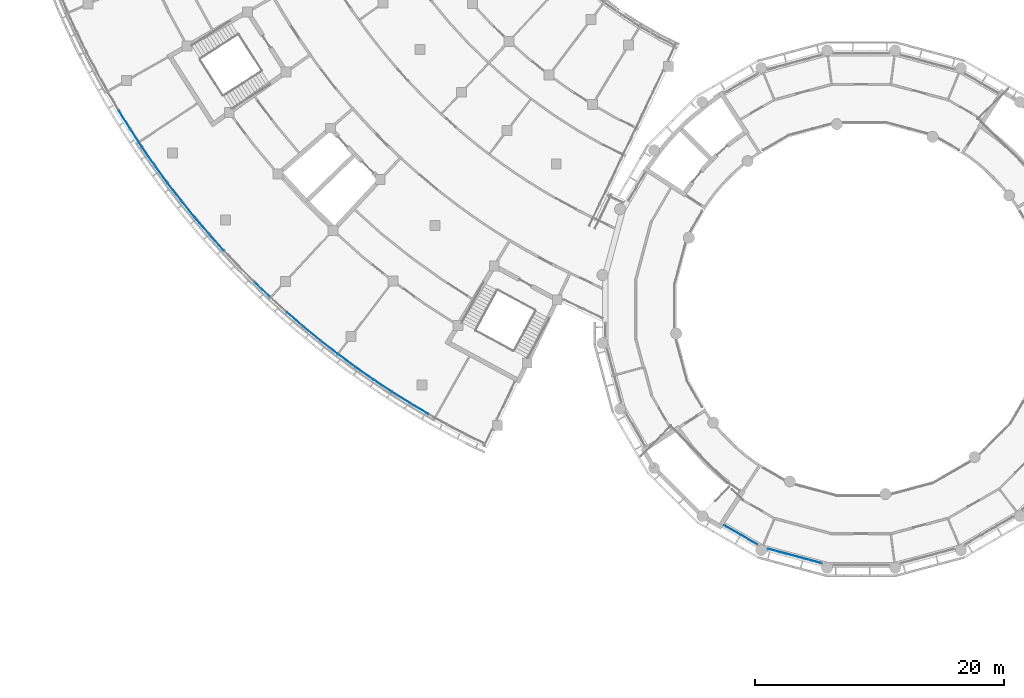
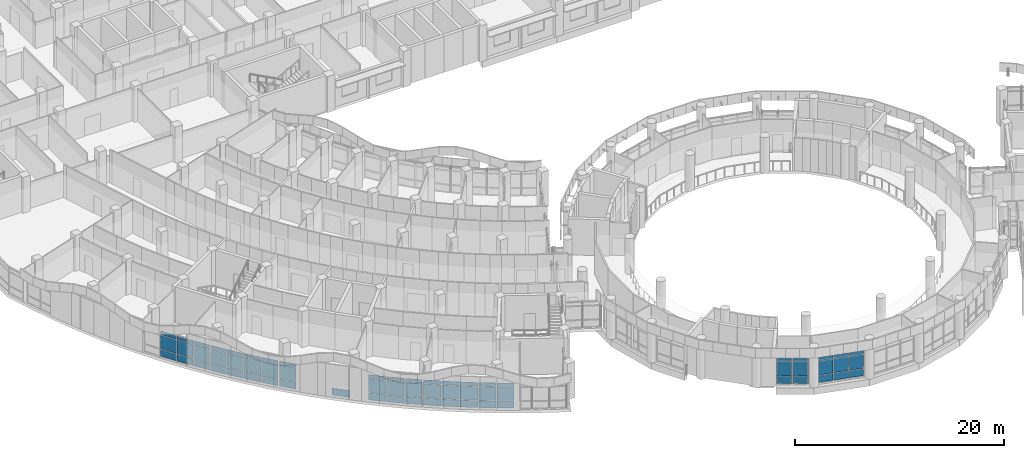
# One storey, part 30 of 109: 64 plates, 8 elements without a shape of their own.
"""IFC4 building model written with IfcOpenShell, lengths in metres."""

from ifc_helpers import new_model, si_unit, direction, frame, origin, origin_2d, place, context, subcontext, project, spatial, rectangle, extrude, material, layer, layer_set, type_object, element, aggregate, save


model = new_model("IFC4")

# Units and contexts
model_context = context("Model", 3, precision=1e-05, world=origin(), true_north=direction((0.0, 1.0)))
body_context = subcontext(model_context, "Body", "Model", "MODEL_VIEW")
ifc_project = project(units=[si_unit("LENGTHUNIT", "METRE"), si_unit("AREAUNIT", "SQUARE_METRE"), si_unit("VOLUMEUNIT", "CUBIC_METRE"), si_unit("PLANEANGLEUNIT", "RADIAN"), si_unit("MASSUNIT", "GRAM", prefix="KILO")], contexts=[model_context])

# Site, building, storey
site_placement = place(None, origin())
site = spatial("IfcSite", under=ifc_project, at=site_placement, CompositionType="ELEMENT")
building_placement = place(site_placement, origin())
building = spatial("IfcBuilding", under=site, at=building_placement, Name="Bougainvillea Quay General Hospital", CompositionType="ELEMENT")
storey_placement = place(building_placement, frame((0.0, 0.0, 12.60009765625)))
storey = spatial("IfcBuildingStorey", under=building, at=storey_placement, Name="L02", CompositionType="ELEMENT", Elevation=12.60009765625)

# Curtain wall, plates
ifc_material_1 = material(Name="Aluminium curtain wall system, powder-coated glazed", Category="aluminium")
curtain_wall_type_1 = type_object("IfcCurtainWallType", Name="Unitised curtain wall CW-2100", PredefinedType="NOTDEFINED", material=ifc_material_1)
curtain_wall_1_placement = place(storey_placement, origin())
curtain_wall_1 = element("IfcCurtainWall", 1, at=curtain_wall_1_placement, inside=storey, type_object=curtain_wall_type_1, Name="CW-W01 a01b0", PredefinedType="NOTDEFINED")
ifc_material_2 = material(Name="Insulated aluminium spandrel panel, white", Category="aluminium")
ifc_layer_1 = layer(ifc_material_2, 0.028076171875)
ifc_layer_set_1 = layer_set([ifc_layer_1], Name="Insulated aluminium spandrel panel, white")
plate_type_1 = type_object("IfcPlateType", Name="Insulated spandrel panel white 28", PredefinedType="CURTAIN_PANEL", material=ifc_layer_set_1)
plate_1_placement = place(storey_placement, frame((73.6884765625, 65.97265625, 0.059814453125), z_axis=(0.0, 0.0, 1.0), x_axis=(-0.860561565158, 0.509346436695, 0.0)))
plate_1 = element("IfcPlate", 2, at=plate_1_placement, type_object=plate_type_1, Name="CW-W01 spandrel panel 4.1", PredefinedType="CURTAIN_PANEL", context=body_context, shape_type="SweptSolid", body=[
    extrude(rectangle(XDim=1.593994140625, YDim=0.028076171875, at=origin_2d()), origin(), (0.0, 0.0, 1.0), 0.81005859375),
])
plate_2_placement = place(storey_placement, frame((73.6884765625, 65.97265625, 2.580078125), z_axis=(0.0, 0.0, 1.0), x_axis=(-0.860561565158, 0.509346436695, 0.0)))
plate_2 = element("IfcPlate", 3, at=plate_2_placement, type_object=plate_type_1, Name="CW-W01 spandrel panel 4.3", PredefinedType="CURTAIN_PANEL", context=body_context, shape_type="SweptSolid", body=[
    extrude(rectangle(XDim=1.593994140625, YDim=0.028076171875, at=origin_2d()), origin(), (0.0, 0.0, 1.0), 0.409912109375),
])

curtain_wall_2_placement = place(storey_placement, origin())
curtain_wall_2 = element("IfcCurtainWall", 4, at=curtain_wall_2_placement, inside=storey, type_object=curtain_wall_type_1, Name="CW-W02 a01b1", PredefinedType="NOTDEFINED")
plate_3_placement = place(storey_placement, frame((72.188720703125, 66.88623046875, 0.059814453125), z_axis=(0.0, 0.0, 1.0), x_axis=(-0.847691824545, 0.530488991968, 0.0)))
plate_3 = element("IfcPlate", 5, at=plate_3_placement, type_object=plate_type_1, Name="CW-W02 spandrel panel 1.1", PredefinedType="CURTAIN_PANEL", context=body_context, shape_type="SweptSolid", body=[
    extrude(rectangle(XDim=1.6787109375, YDim=0.028076171875, at=origin_2d()), origin(), (0.0, 0.0, 1.0), 0.81005859375),
])
plate_4_placement = place(storey_placement, frame((72.188720703125, 66.88623046875, 2.580078125), z_axis=(0.0, 0.0, 1.0), x_axis=(-0.847691824545, 0.530488991968, 0.0)))
plate_4 = element("IfcPlate", 6, at=plate_4_placement, type_object=plate_type_1, Name="CW-W02 spandrel panel 1.3", PredefinedType="CURTAIN_PANEL", context=body_context, shape_type="SweptSolid", body=[
    extrude(rectangle(XDim=1.6787109375, YDim=0.028076171875, at=origin_2d()), origin(), (0.0, 0.0, 1.0), 0.409912109375),
])
plate_5_placement = place(storey_placement, frame((70.714111328125, 67.83544921875, 0.059814453125), z_axis=(0.0, 0.0, 1.0), x_axis=(-0.833967694391, 0.551813269787, 0.0)))
plate_5 = element("IfcPlate", 7, at=plate_5_placement, type_object=plate_type_1, Name="CW-W02 spandrel panel 2.1", PredefinedType="CURTAIN_PANEL", context=body_context, shape_type="SweptSolid", body=[
    extrude(rectangle(XDim=1.708740234375, YDim=0.028076171875, at=origin_2d()), origin(), (0.0, 0.0, 1.0), 0.81005859375),
])
plate_6_placement = place(storey_placement, frame((70.714111328125, 67.83544921875, 2.580078125), z_axis=(0.0, 0.0, 1.0), x_axis=(-0.833967694391, 0.551813269787, 0.0)))
plate_6 = element("IfcPlate", 8, at=plate_6_placement, type_object=plate_type_1, Name="CW-W02 spandrel panel 2.3", PredefinedType="CURTAIN_PANEL", context=body_context, shape_type="SweptSolid", body=[
    extrude(rectangle(XDim=1.708740234375, YDim=0.028076171875, at=origin_2d()), origin(), (0.0, 0.0, 1.0), 0.409912109375),
])
plate_7_placement = place(storey_placement, frame((69.251708984375, 68.830078125, 0.059814453125), z_axis=(0.0, 0.0, 1.0), x_axis=(-0.819707259149, 0.572782689419, 0.0)))
plate_7 = element("IfcPlate", 9, at=plate_7_placement, type_object=plate_type_1, Name="CW-W02 spandrel panel 3.1", PredefinedType="CURTAIN_PANEL", context=body_context, shape_type="SweptSolid", body=[
    extrude(rectangle(XDim=1.708740234375, YDim=0.028076171875, at=origin_2d()), origin(), (0.0, 0.0, 1.0), 0.81005859375),
])
plate_8_placement = place(storey_placement, frame((69.251708984375, 68.830078125, 2.580078125), z_axis=(0.0, 0.0, 1.0), x_axis=(-0.819707259149, 0.572782689419, 0.0)))
plate_8 = element("IfcPlate", 10, at=plate_8_placement, type_object=plate_type_1, Name="CW-W02 spandrel panel 3.3", PredefinedType="CURTAIN_PANEL", context=body_context, shape_type="SweptSolid", body=[
    extrude(rectangle(XDim=1.708740234375, YDim=0.028076171875, at=origin_2d()), origin(), (0.0, 0.0, 1.0), 0.409912109375),
])
plate_9_placement = place(storey_placement, frame((67.826904296875, 69.8525390625, 0.059814453125), z_axis=(0.0, 0.0, 1.0), x_axis=(-0.804919689373, 0.593383765922, 0.0)))
plate_9 = element("IfcPlate", 11, at=plate_9_placement, type_object=plate_type_1, Name="CW-W02 spandrel panel 4.1", PredefinedType="CURTAIN_PANEL", context=body_context, shape_type="SweptSolid", body=[
    extrude(rectangle(XDim=1.6787109375, YDim=0.028076171875, at=origin_2d()), origin(), (0.0, 0.0, 1.0), 0.81005859375),
])
plate_10_placement = place(storey_placement, frame((67.826904296875, 69.8525390625, 2.580078125), z_axis=(0.0, 0.0, 1.0), x_axis=(-0.804919689373, 0.593383765922, 0.0)))
plate_10 = element("IfcPlate", 12, at=plate_10_placement, type_object=plate_type_1, Name="CW-W02 spandrel panel 4.3", PredefinedType="CURTAIN_PANEL", context=body_context, shape_type="SweptSolid", body=[
    extrude(rectangle(XDim=1.6787109375, YDim=0.028076171875, at=origin_2d()), origin(), (0.0, 0.0, 1.0), 0.409912109375),
])

curtain_wall_3_placement = place(storey_placement, origin())
curtain_wall_3 = element("IfcCurtainWall", 13, at=curtain_wall_3_placement, inside=storey, type_object=curtain_wall_type_1, Name="CW-W03 a01b2", PredefinedType="NOTDEFINED")
plate_11_placement = place(storey_placement, frame((66.392822265625, 70.93798828125, 0.059814453125), z_axis=(0.0, 0.0, 1.0), x_axis=(-0.789614494602, 0.613603251226, 0.0)))
plate_11 = element("IfcPlate", 14, at=plate_11_placement, type_object=plate_type_1, Name="CW-W03 spandrel panel 1.1", PredefinedType="CURTAIN_PANEL", context=body_context, shape_type="SweptSolid", body=[
    extrude(rectangle(XDim=1.6787109375, YDim=0.028076171875, at=origin_2d()), origin(), (0.0, 0.0, 1.0), 0.81005859375),
])
plate_12_placement = place(storey_placement, frame((66.392822265625, 70.93798828125, 2.580078125), z_axis=(0.0, 0.0, 1.0), x_axis=(-0.789614494602, 0.613603251226, 0.0)))
plate_12 = element("IfcPlate", 15, at=plate_12_placement, type_object=plate_type_1, Name="CW-W03 spandrel panel 1.3", PredefinedType="CURTAIN_PANEL", context=body_context, shape_type="SweptSolid", body=[
    extrude(rectangle(XDim=1.6787109375, YDim=0.028076171875, at=origin_2d()), origin(), (0.0, 0.0, 1.0), 0.409912109375),
])
plate_13_placement = place(storey_placement, frame((65.02197265625, 72.03173828125, 0.059814453125), z_axis=(0.0, 0.0, 1.0), x_axis=(-0.773801517247, 0.633428142654, 0.0)))
plate_13 = element("IfcPlate", 16, at=plate_13_placement, type_object=plate_type_1, Name="CW-W03 spandrel panel 2.1", PredefinedType="CURTAIN_PANEL", context=body_context, shape_type="SweptSolid", body=[
    extrude(rectangle(XDim=1.708740234375, YDim=0.028076171875, at=origin_2d()), origin(), (0.0, 0.0, 1.0), 0.81005859375),
])
plate_14_placement = place(storey_placement, frame((65.02197265625, 72.03173828125, 2.580078125), z_axis=(0.0, 0.0, 1.0), x_axis=(-0.773801517247, 0.633428142654, 0.0)))
plate_14 = element("IfcPlate", 17, at=plate_14_placement, type_object=plate_type_1, Name="CW-W03 spandrel panel 2.3", PredefinedType="CURTAIN_PANEL", context=body_context, shape_type="SweptSolid", body=[
    extrude(rectangle(XDim=1.708740234375, YDim=0.028076171875, at=origin_2d()), origin(), (0.0, 0.0, 1.0), 0.409912109375),
])
plate_15_placement = place(storey_placement, frame((63.667724609375, 73.169189453125, 0.059814453125), z_axis=(0.0, 0.0, 1.0), x_axis=(-0.757490926264, 0.652845691283, 0.0)))
plate_15 = element("IfcPlate", 18, at=plate_15_placement, type_object=plate_type_1, Name="CW-W03 spandrel panel 3.1", PredefinedType="CURTAIN_PANEL", context=body_context, shape_type="SweptSolid", body=[
    extrude(rectangle(XDim=1.708740234375, YDim=0.028076171875, at=origin_2d()), origin(), (0.0, 0.0, 1.0), 0.81005859375),
])
plate_16_placement = place(storey_placement, frame((63.667724609375, 73.169189453125, 2.580078125), z_axis=(0.0, 0.0, 1.0), x_axis=(-0.757490926264, 0.652845691283, 0.0)))
plate_16 = element("IfcPlate", 19, at=plate_16_placement, type_object=plate_type_1, Name="CW-W03 spandrel panel 3.3", PredefinedType="CURTAIN_PANEL", context=body_context, shape_type="SweptSolid", body=[
    extrude(rectangle(XDim=1.708740234375, YDim=0.028076171875, at=origin_2d()), origin(), (0.0, 0.0, 1.0), 0.409912109375),
])

curtain_wall_4_placement = place(storey_placement, origin())
curtain_wall_4 = element("IfcCurtainWall", 20, at=curtain_wall_4_placement, inside=storey, type_object=curtain_wall_type_1, Name="CW-W04 a01b3", PredefinedType="NOTDEFINED")
plate_17_placement = place(storey_placement, frame((61.037109375, 75.555908203125, 0.059814453125), z_axis=(0.0, 0.0, 1.0), x_axis=(-0.72341917251, 0.690409082244, 0.0)))
plate_17 = element("IfcPlate", 21, at=plate_17_placement, type_object=plate_type_1, Name="CW-W04 spandrel panel 1.1", PredefinedType="CURTAIN_PANEL", context=body_context, shape_type="SweptSolid", body=[
    extrude(rectangle(XDim=1.6787109375, YDim=0.028076171875, at=origin_2d()), origin(), (0.0, 0.0, 1.0), 0.81005859375),
])
plate_18_placement = place(storey_placement, frame((57.3623046875, 79.340087890625, 0.059814453125), z_axis=(0.0, 0.0, 1.0), x_axis=(-0.668851697289, 0.743395861593, 0.0)))
plate_18 = element("IfcPlate", 22, at=plate_18_placement, type_object=plate_type_1, Name="CW-W04 spandrel panel 4.1", PredefinedType="CURTAIN_PANEL", context=body_context, shape_type="SweptSolid", body=[
    extrude(rectangle(XDim=1.6787109375, YDim=0.028076171875, at=origin_2d()), origin(), (0.0, 0.0, 1.0), 0.81005859375),
])
plate_19_placement = place(storey_placement, frame((57.3623046875, 79.340087890625, 2.580078125), z_axis=(0.0, 0.0, 1.0), x_axis=(-0.668851697289, 0.743395861593, 0.0)))
plate_19 = element("IfcPlate", 23, at=plate_19_placement, type_object=plate_type_1, Name="CW-W04 spandrel panel 4.3", PredefinedType="CURTAIN_PANEL", context=body_context, shape_type="SweptSolid", body=[
    extrude(rectangle(XDim=1.6787109375, YDim=0.028076171875, at=origin_2d()), origin(), (0.0, 0.0, 1.0), 0.409912109375),
])

curtain_wall_5_placement = place(storey_placement, origin())
curtain_wall_5 = element("IfcCurtainWall", 24, at=curtain_wall_5_placement, inside=storey, type_object=curtain_wall_type_1, Name="CW-W05 a01b4", PredefinedType="NOTDEFINED")
plate_20_placement = place(storey_placement, frame((56.17626953125, 80.6923828125, 0.059814453125), z_axis=(0.0, 0.0, 1.0), x_axis=(-0.649786409486, 0.760116847627, 0.0)))
plate_20 = element("IfcPlate", 25, at=plate_20_placement, type_object=plate_type_1, Name="CW-W05 spandrel panel 1.1", PredefinedType="CURTAIN_PANEL", context=body_context, shape_type="SweptSolid", body=[
    extrude(rectangle(XDim=1.6787109375, YDim=0.028076171875, at=origin_2d()), origin(), (0.0, 0.0, 1.0), 0.81005859375),
])
plate_21_placement = place(storey_placement, frame((56.17626953125, 80.6923828125, 2.580078125), z_axis=(0.0, 0.0, 1.0), x_axis=(-0.649786409486, 0.760116847627, 0.0)))
plate_21 = element("IfcPlate", 26, at=plate_21_placement, type_object=plate_type_1, Name="CW-W05 spandrel panel 1.3", PredefinedType="CURTAIN_PANEL", context=body_context, shape_type="SweptSolid", body=[
    extrude(rectangle(XDim=1.6787109375, YDim=0.028076171875, at=origin_2d()), origin(), (0.0, 0.0, 1.0), 0.409912109375),
])
plate_22_placement = place(storey_placement, frame((55.053955078125, 82.039794921875, 0.059814453125), z_axis=(0.0, 0.0, 1.0), x_axis=(-0.630303259266, 0.776349020324, 0.0)))
plate_22 = element("IfcPlate", 27, at=plate_22_placement, type_object=plate_type_1, Name="CW-W05 spandrel panel 2.1", PredefinedType="CURTAIN_PANEL", context=body_context, shape_type="SweptSolid", body=[
    extrude(rectangle(XDim=1.708740234375, YDim=0.028076171875, at=origin_2d()), origin(), (0.0, 0.0, 1.0), 0.81005859375),
])
plate_23_placement = place(storey_placement, frame((55.053955078125, 82.039794921875, 2.580078125), z_axis=(0.0, 0.0, 1.0), x_axis=(-0.630303259266, 0.776349020324, 0.0)))
plate_23 = element("IfcPlate", 28, at=plate_23_placement, type_object=plate_type_1, Name="CW-W05 spandrel panel 2.3", PredefinedType="CURTAIN_PANEL", context=body_context, shape_type="SweptSolid", body=[
    extrude(rectangle(XDim=1.708740234375, YDim=0.028076171875, at=origin_2d()), origin(), (0.0, 0.0, 1.0), 0.409912109375),
])
plate_24_placement = place(storey_placement, frame((53.956787109375, 83.427001953125, 0.059814453125), z_axis=(0.0, 0.0, 1.0), x_axis=(-0.610414775786, 0.792081941154, 0.0)))
plate_24 = element("IfcPlate", 29, at=plate_24_placement, type_object=plate_type_1, Name="CW-W05 spandrel panel 3.1", PredefinedType="CURTAIN_PANEL", context=body_context, shape_type="SweptSolid", body=[
    extrude(rectangle(XDim=1.708740234375, YDim=0.028076171875, at=origin_2d()), origin(), (0.0, 0.0, 1.0), 0.81005859375),
])
plate_25_placement = place(storey_placement, frame((53.956787109375, 83.427001953125, 2.580078125), z_axis=(0.0, 0.0, 1.0), x_axis=(-0.610414775786, 0.792081941154, 0.0)))
plate_25 = element("IfcPlate", 30, at=plate_25_placement, type_object=plate_type_1, Name="CW-W05 spandrel panel 3.3", PredefinedType="CURTAIN_PANEL", context=body_context, shape_type="SweptSolid", body=[
    extrude(rectangle(XDim=1.708740234375, YDim=0.028076171875, at=origin_2d()), origin(), (0.0, 0.0, 1.0), 0.409912109375),
])
plate_26_placement = place(storey_placement, frame((52.90380859375, 84.829345703125, 0.059814453125), z_axis=(0.0, 0.0, 1.0), x_axis=(-0.590133748864, 0.807305492643, 0.0)))
plate_26 = element("IfcPlate", 31, at=plate_26_placement, type_object=plate_type_1, Name="CW-W05 spandrel panel 4.1", PredefinedType="CURTAIN_PANEL", context=body_context, shape_type="SweptSolid", body=[
    extrude(rectangle(XDim=1.6787109375, YDim=0.028076171875, at=origin_2d()), origin(), (0.0, 0.0, 1.0), 0.81005859375),
])
plate_27_placement = place(storey_placement, frame((52.90380859375, 84.829345703125, 2.580078125), z_axis=(0.0, 0.0, 1.0), x_axis=(-0.590133748864, 0.807305492643, 0.0)))
plate_27 = element("IfcPlate", 32, at=plate_27_placement, type_object=plate_type_1, Name="CW-W05 spandrel panel 4.3", PredefinedType="CURTAIN_PANEL", context=body_context, shape_type="SweptSolid", body=[
    extrude(rectangle(XDim=1.6787109375, YDim=0.028076171875, at=origin_2d()), origin(), (0.0, 0.0, 1.0), 0.409912109375),
])

curtain_wall_6_placement = place(storey_placement, origin())
curtain_wall_6 = element("IfcCurtainWall", 33, at=curtain_wall_6_placement, inside=storey, type_object=curtain_wall_type_1, Name="CW-W06 a01b5", PredefinedType="NOTDEFINED")
plate_28_placement = place(storey_placement, frame((51.86083984375, 86.294677734375, 0.059814453125), z_axis=(0.0, 0.0, 1.0), x_axis=(-0.569473220753, 0.822009884883, 0.0)))
plate_28 = element("IfcPlate", 34, at=plate_28_placement, type_object=plate_type_1, Name="CW-W06 spandrel panel 1.1", PredefinedType="CURTAIN_PANEL", context=body_context, shape_type="SweptSolid", body=[
    extrude(rectangle(XDim=1.6787109375, YDim=0.028076171875, at=origin_2d()), origin(), (0.0, 0.0, 1.0), 0.81005859375),
])
plate_29_placement = place(storey_placement, frame((51.86083984375, 86.294677734375, 2.580078125), z_axis=(0.0, 0.0, 1.0), x_axis=(-0.569473220753, 0.822009884883, 0.0)))
plate_29 = element("IfcPlate", 35, at=plate_29_placement, type_object=plate_type_1, Name="CW-W06 spandrel panel 1.3", PredefinedType="CURTAIN_PANEL", context=body_context, shape_type="SweptSolid", body=[
    extrude(rectangle(XDim=1.6787109375, YDim=0.028076171875, at=origin_2d()), origin(), (0.0, 0.0, 1.0), 0.409912109375),
])
plate_30_placement = place(storey_placement, frame((50.880859375, 87.7490234375, 0.059814453125), z_axis=(0.0, 0.0, 1.0), x_axis=(-0.548446477755, 0.836185661823, 0.0)))
plate_30 = element("IfcPlate", 36, at=plate_30_placement, type_object=plate_type_1, Name="CW-W06 spandrel panel 2.1", PredefinedType="CURTAIN_PANEL", context=body_context, shape_type="SweptSolid", body=[
    extrude(rectangle(XDim=1.708740234375, YDim=0.028076171875, at=origin_2d()), origin(), (0.0, 0.0, 1.0), 0.81005859375),
])
plate_31_placement = place(storey_placement, frame((50.880859375, 87.7490234375, 2.580078125), z_axis=(0.0, 0.0, 1.0), x_axis=(-0.548446477755, 0.836185661823, 0.0)))
plate_31 = element("IfcPlate", 37, at=plate_31_placement, type_object=plate_type_1, Name="CW-W06 spandrel panel 2.3", PredefinedType="CURTAIN_PANEL", context=body_context, shape_type="SweptSolid", body=[
    extrude(rectangle(XDim=1.708740234375, YDim=0.028076171875, at=origin_2d()), origin(), (0.0, 0.0, 1.0), 0.409912109375),
])
plate_32_placement = place(storey_placement, frame((49.9296875, 89.239990234375, 0.059814453125), z_axis=(0.0, 0.0, 1.0), x_axis=(-0.527067041675, 0.849823707353, 0.0)))
plate_32 = element("IfcPlate", 38, at=plate_32_placement, type_object=plate_type_1, Name="CW-W06 spandrel panel 3.1", PredefinedType="CURTAIN_PANEL", context=body_context, shape_type="SweptSolid", body=[
    extrude(rectangle(XDim=1.708740234375, YDim=0.028076171875, at=origin_2d()), origin(), (0.0, 0.0, 1.0), 0.81005859375),
])
plate_33_placement = place(storey_placement, frame((49.9296875, 89.239990234375, 2.580078125), z_axis=(0.0, 0.0, 1.0), x_axis=(-0.527067041675, 0.849823707353, 0.0)))
plate_33 = element("IfcPlate", 39, at=plate_33_placement, type_object=plate_type_1, Name="CW-W06 spandrel panel 3.3", PredefinedType="CURTAIN_PANEL", context=body_context, shape_type="SweptSolid", body=[
    extrude(rectangle(XDim=1.708740234375, YDim=0.028076171875, at=origin_2d()), origin(), (0.0, 0.0, 1.0), 0.409912109375),
])

curtain_wall_type_2 = type_object("IfcCurtainWallType", Name="Unitised curtain wall CW-1585", PredefinedType="NOTDEFINED", material=ifc_material_1)
curtain_wall_7_placement = place(storey_placement, origin())
curtain_wall_7 = element("IfcCurtainWall", 40, at=curtain_wall_7_placement, inside=storey, type_object=curtain_wall_type_2, Name="CW-D 00", PredefinedType="NOTDEFINED")
plate_34_placement = place(storey_placement, frame((98.8359375, 56.231689453125, 0.059814453125), z_axis=(0.0, 0.0, 1.0), x_axis=(0.866045865692, -0.499964557262, 0.0)))
plate_34 = element("IfcPlate", 41, at=plate_34_placement, type_object=plate_type_1, Name="CW-D spandrel panel 1.1", PredefinedType="CURTAIN_PANEL", context=body_context, shape_type="SweptSolid", body=[
    extrude(rectangle(XDim=1.494873046875, YDim=0.028076171875, at=origin_2d()), origin(), (0.0, 0.0, 1.0), 0.81005859375),
])
plate_35_placement = place(storey_placement, frame((98.8359375, 56.231689453125, 2.580078125), z_axis=(0.0, 0.0, 1.0), x_axis=(0.866045865692, -0.499964557262, 0.0)))
plate_35 = element("IfcPlate", 42, at=plate_35_placement, type_object=plate_type_1, Name="CW-D spandrel panel 1.3", PredefinedType="CURTAIN_PANEL", context=body_context, shape_type="SweptSolid", body=[
    extrude(rectangle(XDim=1.494873046875, YDim=0.028076171875, at=origin_2d()), origin(), (0.0, 0.0, 1.0), 0.409912109375),
])
plate_36_placement = place(storey_placement, frame((100.1826171875, 55.4541015625, 0.059814453125), z_axis=(0.0, 0.0, 1.0), x_axis=(0.866045865692, -0.499964557262, 0.0)))
plate_36 = element("IfcPlate", 43, at=plate_36_placement, type_object=plate_type_1, Name="CW-D spandrel panel 2.1", PredefinedType="CURTAIN_PANEL", context=body_context, shape_type="SweptSolid", body=[
    extrude(rectangle(XDim=1.494873046875, YDim=0.028076171875, at=origin_2d()), origin(), (0.0, 0.0, 1.0), 0.81005859375),
])
plate_37_placement = place(storey_placement, frame((100.1826171875, 55.4541015625, 2.580078125), z_axis=(0.0, 0.0, 1.0), x_axis=(0.866045865692, -0.499964557262, 0.0)))
plate_37 = element("IfcPlate", 44, at=plate_37_placement, type_object=plate_type_1, Name="CW-D spandrel panel 2.3", PredefinedType="CURTAIN_PANEL", context=body_context, shape_type="SweptSolid", body=[
    extrude(rectangle(XDim=1.494873046875, YDim=0.028076171875, at=origin_2d()), origin(), (0.0, 0.0, 1.0), 0.409912109375),
])

curtain_wall_type_3 = type_object("IfcCurtainWallType", Name="Unitised curtain wall CW-1514", PredefinedType="NOTDEFINED", material=ifc_material_1)
curtain_wall_8_placement = place(storey_placement, origin())
curtain_wall_8 = element("IfcCurtainWall", 45, at=curtain_wall_8_placement, inside=storey, type_object=curtain_wall_type_3, Name="CW-D 00", PredefinedType="NOTDEFINED")
plate_38_placement = place(storey_placement, frame((102.428466796875, 54.51904296875, 0.059814453125), z_axis=(0.0, 0.0, 1.0), x_axis=(0.965916292974, -0.258854621298, 0.0)))
plate_38 = element("IfcPlate", 46, at=plate_38_placement, type_object=plate_type_1, Name="CW-D spandrel panel 1.1", PredefinedType="CURTAIN_PANEL", context=body_context, shape_type="SweptSolid", body=[
    extrude(rectangle(XDim=1.423828125, YDim=0.028076171875, at=origin_2d()), origin(), (0.0, 0.0, 1.0), 0.81005859375),
])
plate_39_placement = place(storey_placement, frame((102.428466796875, 54.51904296875, 2.580078125), z_axis=(0.0, 0.0, 1.0), x_axis=(0.965916292974, -0.258854621298, 0.0)))
plate_39 = element("IfcPlate", 47, at=plate_39_placement, type_object=plate_type_1, Name="CW-D spandrel panel 1.3", PredefinedType="CURTAIN_PANEL", context=body_context, shape_type="SweptSolid", body=[
    extrude(rectangle(XDim=1.423828125, YDim=0.028076171875, at=origin_2d()), origin(), (0.0, 0.0, 1.0), 0.409912109375),
])
plate_40_placement = place(storey_placement, frame((103.876220703125, 54.130859375, 0.059814453125), z_axis=(0.0, 0.0, 1.0), x_axis=(0.965916292974, -0.258854621298, 0.0)))
plate_40 = element("IfcPlate", 48, at=plate_40_placement, type_object=plate_type_1, Name="CW-D spandrel panel 2.1", PredefinedType="CURTAIN_PANEL", context=body_context, shape_type="SweptSolid", body=[
    extrude(rectangle(XDim=1.453857421875, YDim=0.028076171875, at=origin_2d()), origin(), (0.0, 0.0, 1.0), 0.81005859375),
])
plate_41_placement = place(storey_placement, frame((103.876220703125, 54.130859375, 2.580078125), z_axis=(0.0, 0.0, 1.0), x_axis=(0.965916292974, -0.258854621298, 0.0)))
plate_41 = element("IfcPlate", 49, at=plate_41_placement, type_object=plate_type_1, Name="CW-D spandrel panel 2.3", PredefinedType="CURTAIN_PANEL", context=body_context, shape_type="SweptSolid", body=[
    extrude(rectangle(XDim=1.453857421875, YDim=0.028076171875, at=origin_2d()), origin(), (0.0, 0.0, 1.0), 0.409912109375),
])
plate_42_placement = place(storey_placement, frame((105.323974609375, 53.742919921875, 0.059814453125), z_axis=(0.0, 0.0, 1.0), x_axis=(0.965916292974, -0.258854621298, 0.0)))
plate_42 = element("IfcPlate", 50, at=plate_42_placement, type_object=plate_type_1, Name="CW-D spandrel panel 3.1", PredefinedType="CURTAIN_PANEL", context=body_context, shape_type="SweptSolid", body=[
    extrude(rectangle(XDim=1.423828125, YDim=0.028076171875, at=origin_2d()), origin(), (0.0, 0.0, 1.0), 0.81005859375),
])
plate_43_placement = place(storey_placement, frame((105.323974609375, 53.742919921875, 2.580078125), z_axis=(0.0, 0.0, 1.0), x_axis=(0.965916292974, -0.258854621298, 0.0)))
plate_43 = element("IfcPlate", 51, at=plate_43_placement, type_object=plate_type_1, Name="CW-D spandrel panel 3.3", PredefinedType="CURTAIN_PANEL", context=body_context, shape_type="SweptSolid", body=[
    extrude(rectangle(XDim=1.423828125, YDim=0.028076171875, at=origin_2d()), origin(), (0.0, 0.0, 1.0), 0.409912109375),
])

# Plate
ifc_material_3 = material(Name="Low-e laminated glass, solar control", Category="glass")
ifc_layer_2 = layer(ifc_material_3, 0.028076171875)
ifc_layer_set_2 = layer_set([ifc_layer_2], Name="Low-e laminated glass, solar control")
plate_type_2 = type_object("IfcPlateType", Name="Low-e laminated vision glass 28", PredefinedType="CURTAIN_PANEL", material=ifc_layer_set_2)
plate_44_placement = place(storey_placement, frame((73.6884765625, 65.97265625, 0.9296875), z_axis=(0.0, 0.0, 1.0), x_axis=(-0.860561565158, 0.509346436695, 0.0)))
plate_44 = element("IfcPlate", 52, at=plate_44_placement, type_object=plate_type_2, Name="CW-W01 vision glass panel 4.2", PredefinedType="CURTAIN_PANEL", context=body_context, shape_type="SweptSolid", body=[
    extrude(rectangle(XDim=1.593994140625, YDim=0.028076171875, at=origin_2d()), origin(), (0.0, 0.0, 1.0), 1.590087890625),
])

aggregate(curtain_wall_1, [plate_1, plate_44, plate_2])

plate_45_placement = place(storey_placement, frame((72.188720703125, 66.88623046875, 0.9296875), z_axis=(0.0, 0.0, 1.0), x_axis=(-0.847691824545, 0.530488991968, 0.0)))
plate_45 = element("IfcPlate", 53, at=plate_45_placement, type_object=plate_type_2, Name="CW-W02 vision glass panel 1.2", PredefinedType="CURTAIN_PANEL", context=body_context, shape_type="SweptSolid", body=[
    extrude(rectangle(XDim=1.6787109375, YDim=0.028076171875, at=origin_2d()), origin(), (0.0, 0.0, 1.0), 1.590087890625),
])

plate_46_placement = place(storey_placement, frame((70.714111328125, 67.83544921875, 0.9296875), z_axis=(0.0, 0.0, 1.0), x_axis=(-0.833967694391, 0.551813269787, 0.0)))
plate_46 = element("IfcPlate", 54, at=plate_46_placement, type_object=plate_type_2, Name="CW-W02 vision glass panel 2.2", PredefinedType="CURTAIN_PANEL", context=body_context, shape_type="SweptSolid", body=[
    extrude(rectangle(XDim=1.708740234375, YDim=0.028076171875, at=origin_2d()), origin(), (0.0, 0.0, 1.0), 1.590087890625),
])

plate_47_placement = place(storey_placement, frame((69.251708984375, 68.830078125, 0.9296875), z_axis=(0.0, 0.0, 1.0), x_axis=(-0.819707259149, 0.572782689419, 0.0)))
plate_47 = element("IfcPlate", 55, at=plate_47_placement, type_object=plate_type_2, Name="CW-W02 vision glass panel 3.2", PredefinedType="CURTAIN_PANEL", context=body_context, shape_type="SweptSolid", body=[
    extrude(rectangle(XDim=1.708740234375, YDim=0.028076171875, at=origin_2d()), origin(), (0.0, 0.0, 1.0), 1.590087890625),
])

plate_48_placement = place(storey_placement, frame((67.826904296875, 69.8525390625, 0.9296875), z_axis=(0.0, 0.0, 1.0), x_axis=(-0.804919689373, 0.593383765922, 0.0)))
plate_48 = element("IfcPlate", 56, at=plate_48_placement, type_object=plate_type_2, Name="CW-W02 vision glass panel 4.2", PredefinedType="CURTAIN_PANEL", context=body_context, shape_type="SweptSolid", body=[
    extrude(rectangle(XDim=1.6787109375, YDim=0.028076171875, at=origin_2d()), origin(), (0.0, 0.0, 1.0), 1.590087890625),
])

aggregate(curtain_wall_2, [plate_3, plate_45, plate_4, plate_5, plate_46, plate_6, plate_7, plate_47, plate_8, plate_9, plate_48, plate_10])

plate_49_placement = place(storey_placement, frame((66.392822265625, 70.93798828125, 0.9296875), z_axis=(0.0, 0.0, 1.0), x_axis=(-0.789614494602, 0.613603251226, 0.0)))
plate_49 = element("IfcPlate", 57, at=plate_49_placement, type_object=plate_type_2, Name="CW-W03 vision glass panel 1.2", PredefinedType="CURTAIN_PANEL", context=body_context, shape_type="SweptSolid", body=[
    extrude(rectangle(XDim=1.6787109375, YDim=0.028076171875, at=origin_2d()), origin(), (0.0, 0.0, 1.0), 1.590087890625),
])

plate_50_placement = place(storey_placement, frame((65.02197265625, 72.03173828125, 0.9296875), z_axis=(0.0, 0.0, 1.0), x_axis=(-0.773801517247, 0.633428142654, 0.0)))
plate_50 = element("IfcPlate", 58, at=plate_50_placement, type_object=plate_type_2, Name="CW-W03 vision glass panel 2.2", PredefinedType="CURTAIN_PANEL", context=body_context, shape_type="SweptSolid", body=[
    extrude(rectangle(XDim=1.708740234375, YDim=0.028076171875, at=origin_2d()), origin(), (0.0, 0.0, 1.0), 1.590087890625),
])

plate_51_placement = place(storey_placement, frame((63.667724609375, 73.169189453125, 0.9296875), z_axis=(0.0, 0.0, 1.0), x_axis=(-0.757490926264, 0.652845691283, 0.0)))
plate_51 = element("IfcPlate", 59, at=plate_51_placement, type_object=plate_type_2, Name="CW-W03 vision glass panel 3.2", PredefinedType="CURTAIN_PANEL", context=body_context, shape_type="SweptSolid", body=[
    extrude(rectangle(XDim=1.708740234375, YDim=0.028076171875, at=origin_2d()), origin(), (0.0, 0.0, 1.0), 1.590087890625),
])

aggregate(curtain_wall_3, [plate_11, plate_49, plate_12, plate_13, plate_50, plate_14, plate_15, plate_51, plate_16])

plate_52_placement = place(storey_placement, frame((57.3623046875, 79.340087890625, 0.9296875), z_axis=(0.0, 0.0, 1.0), x_axis=(-0.668851697289, 0.743395861593, 0.0)))
plate_52 = element("IfcPlate", 60, at=plate_52_placement, type_object=plate_type_2, Name="CW-W04 vision glass panel 4.2", PredefinedType="CURTAIN_PANEL", context=body_context, shape_type="SweptSolid", body=[
    extrude(rectangle(XDim=1.6787109375, YDim=0.028076171875, at=origin_2d()), origin(), (0.0, 0.0, 1.0), 1.590087890625),
])

aggregate(curtain_wall_4, [plate_17, plate_18, plate_52, plate_19])

plate_53_placement = place(storey_placement, frame((56.17626953125, 80.6923828125, 0.9296875), z_axis=(0.0, 0.0, 1.0), x_axis=(-0.649786409486, 0.760116847627, 0.0)))
plate_53 = element("IfcPlate", 61, at=plate_53_placement, type_object=plate_type_2, Name="CW-W05 vision glass panel 1.2", PredefinedType="CURTAIN_PANEL", context=body_context, shape_type="SweptSolid", body=[
    extrude(rectangle(XDim=1.6787109375, YDim=0.028076171875, at=origin_2d()), origin(), (0.0, 0.0, 1.0), 1.590087890625),
])

plate_54_placement = place(storey_placement, frame((55.053955078125, 82.039794921875, 0.9296875), z_axis=(0.0, 0.0, 1.0), x_axis=(-0.630303259266, 0.776349020324, 0.0)))
plate_54 = element("IfcPlate", 62, at=plate_54_placement, type_object=plate_type_2, Name="CW-W05 vision glass panel 2.2", PredefinedType="CURTAIN_PANEL", context=body_context, shape_type="SweptSolid", body=[
    extrude(rectangle(XDim=1.708740234375, YDim=0.028076171875, at=origin_2d()), origin(), (0.0, 0.0, 1.0), 1.590087890625),
])

plate_55_placement = place(storey_placement, frame((53.956787109375, 83.427001953125, 0.9296875), z_axis=(0.0, 0.0, 1.0), x_axis=(-0.610414775786, 0.792081941154, 0.0)))
plate_55 = element("IfcPlate", 63, at=plate_55_placement, type_object=plate_type_2, Name="CW-W05 vision glass panel 3.2", PredefinedType="CURTAIN_PANEL", context=body_context, shape_type="SweptSolid", body=[
    extrude(rectangle(XDim=1.708740234375, YDim=0.028076171875, at=origin_2d()), origin(), (0.0, 0.0, 1.0), 1.590087890625),
])

plate_56_placement = place(storey_placement, frame((52.90380859375, 84.829345703125, 0.9296875), z_axis=(0.0, 0.0, 1.0), x_axis=(-0.590133748864, 0.807305492643, 0.0)))
plate_56 = element("IfcPlate", 64, at=plate_56_placement, type_object=plate_type_2, Name="CW-W05 vision glass panel 4.2", PredefinedType="CURTAIN_PANEL", context=body_context, shape_type="SweptSolid", body=[
    extrude(rectangle(XDim=1.6787109375, YDim=0.028076171875, at=origin_2d()), origin(), (0.0, 0.0, 1.0), 1.590087890625),
])

aggregate(curtain_wall_5, [plate_20, plate_53, plate_21, plate_22, plate_54, plate_23, plate_24, plate_55, plate_25, plate_26, plate_56, plate_27])

plate_57_placement = place(storey_placement, frame((51.86083984375, 86.294677734375, 0.9296875), z_axis=(0.0, 0.0, 1.0), x_axis=(-0.569473220753, 0.822009884883, 0.0)))
plate_57 = element("IfcPlate", 65, at=plate_57_placement, type_object=plate_type_2, Name="CW-W06 vision glass panel 1.2", PredefinedType="CURTAIN_PANEL", context=body_context, shape_type="SweptSolid", body=[
    extrude(rectangle(XDim=1.6787109375, YDim=0.028076171875, at=origin_2d()), origin(), (0.0, 0.0, 1.0), 1.590087890625),
])

plate_58_placement = place(storey_placement, frame((50.880859375, 87.7490234375, 0.9296875), z_axis=(0.0, 0.0, 1.0), x_axis=(-0.548446477755, 0.836185661823, 0.0)))
plate_58 = element("IfcPlate", 66, at=plate_58_placement, type_object=plate_type_2, Name="CW-W06 vision glass panel 2.2", PredefinedType="CURTAIN_PANEL", context=body_context, shape_type="SweptSolid", body=[
    extrude(rectangle(XDim=1.708740234375, YDim=0.028076171875, at=origin_2d()), origin(), (0.0, 0.0, 1.0), 1.590087890625),
])

plate_59_placement = place(storey_placement, frame((49.9296875, 89.239990234375, 0.9296875), z_axis=(0.0, 0.0, 1.0), x_axis=(-0.527067041675, 0.849823707353, 0.0)))
plate_59 = element("IfcPlate", 67, at=plate_59_placement, type_object=plate_type_2, Name="CW-W06 vision glass panel 3.2", PredefinedType="CURTAIN_PANEL", context=body_context, shape_type="SweptSolid", body=[
    extrude(rectangle(XDim=1.708740234375, YDim=0.028076171875, at=origin_2d()), origin(), (0.0, 0.0, 1.0), 1.590087890625),
])

aggregate(curtain_wall_6, [plate_28, plate_57, plate_29, plate_30, plate_58, plate_31, plate_32, plate_59, plate_33])

plate_60_placement = place(storey_placement, frame((98.8359375, 56.231689453125, 0.9296875), z_axis=(0.0, 0.0, 1.0), x_axis=(0.866045865692, -0.499964557262, 0.0)))
plate_60 = element("IfcPlate", 68, at=plate_60_placement, type_object=plate_type_2, Name="CW-D vision glass panel 1.2", PredefinedType="CURTAIN_PANEL", context=body_context, shape_type="SweptSolid", body=[
    extrude(rectangle(XDim=1.494873046875, YDim=0.028076171875, at=origin_2d()), origin(), (0.0, 0.0, 1.0), 1.590087890625),
])

plate_61_placement = place(storey_placement, frame((100.1826171875, 55.4541015625, 0.9296875), z_axis=(0.0, 0.0, 1.0), x_axis=(0.866045865692, -0.499964557262, 0.0)))
plate_61 = element("IfcPlate", 69, at=plate_61_placement, type_object=plate_type_2, Name="CW-D vision glass panel 2.2", PredefinedType="CURTAIN_PANEL", context=body_context, shape_type="SweptSolid", body=[
    extrude(rectangle(XDim=1.494873046875, YDim=0.028076171875, at=origin_2d()), origin(), (0.0, 0.0, 1.0), 1.590087890625),
])

aggregate(curtain_wall_7, [plate_34, plate_60, plate_35, plate_36, plate_61, plate_37])

plate_62_placement = place(storey_placement, frame((102.428466796875, 54.51904296875, 0.9296875), z_axis=(0.0, 0.0, 1.0), x_axis=(0.965916292974, -0.258854621298, 0.0)))
plate_62 = element("IfcPlate", 70, at=plate_62_placement, type_object=plate_type_2, Name="CW-D vision glass panel 1.2", PredefinedType="CURTAIN_PANEL", context=body_context, shape_type="SweptSolid", body=[
    extrude(rectangle(XDim=1.423828125, YDim=0.028076171875, at=origin_2d()), origin(), (0.0, 0.0, 1.0), 1.590087890625),
])

plate_63_placement = place(storey_placement, frame((103.876220703125, 54.130859375, 0.9296875), z_axis=(0.0, 0.0, 1.0), x_axis=(0.965916292974, -0.258854621298, 0.0)))
plate_63 = element("IfcPlate", 71, at=plate_63_placement, type_object=plate_type_2, Name="CW-D vision glass panel 2.2", PredefinedType="CURTAIN_PANEL", context=body_context, shape_type="SweptSolid", body=[
    extrude(rectangle(XDim=1.453857421875, YDim=0.028076171875, at=origin_2d()), origin(), (0.0, 0.0, 1.0), 1.590087890625),
])

plate_64_placement = place(storey_placement, frame((105.323974609375, 53.742919921875, 0.9296875), z_axis=(0.0, 0.0, 1.0), x_axis=(0.965916292974, -0.258854621298, 0.0)))
plate_64 = element("IfcPlate", 72, at=plate_64_placement, type_object=plate_type_2, Name="CW-D vision glass panel 3.2", PredefinedType="CURTAIN_PANEL", context=body_context, shape_type="SweptSolid", body=[
    extrude(rectangle(XDim=1.423828125, YDim=0.028076171875, at=origin_2d()), origin(), (0.0, 0.0, 1.0), 1.590087890625),
])

aggregate(curtain_wall_8, [plate_38, plate_62, plate_39, plate_40, plate_63, plate_41, plate_42, plate_64, plate_43])

save(model, "model.ifc")
